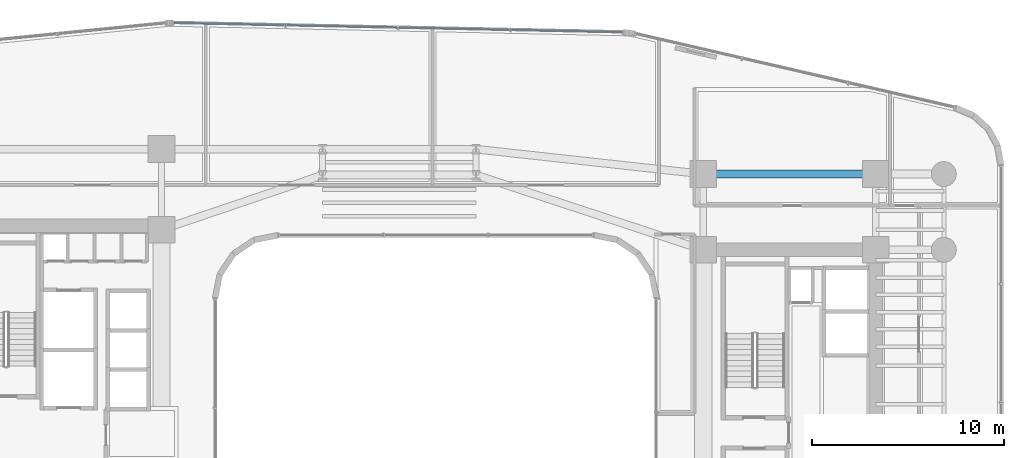
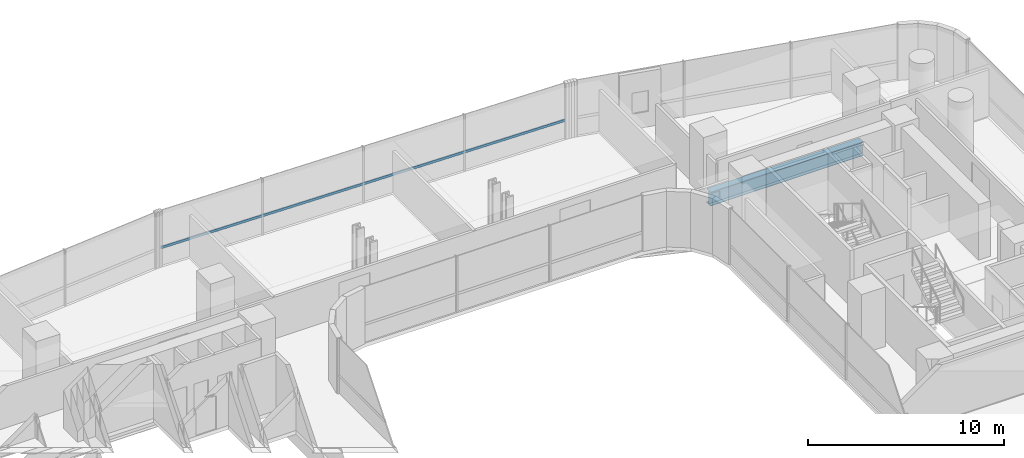
# One storey, part 24 of 40: 1 beam, 1 member, 1 element without a shape of its own.
"""IFC4 building model written with IfcOpenShell, lengths in metres."""

from ifc_helpers import new_model, si_unit, direction, frame, origin, origin_2d, place, context, subcontext, project, spatial, hollow_rectangle, i_section, extrude, source, transform, mapped, material, material_profile, profile_set, type_object, element, aggregate, save


model = new_model("IFC4")

# Units and contexts
model_context = context("Model", 3, precision=1e-05, world=origin(), true_north=direction((0.0, 1.0)))
body_context = subcontext(model_context, "Body", "Model", "MODEL_VIEW")
ifc_project = project(units=[si_unit("LENGTHUNIT", "METRE"), si_unit("AREAUNIT", "SQUARE_METRE"), si_unit("VOLUMEUNIT", "CUBIC_METRE"), si_unit("PLANEANGLEUNIT", "RADIAN"), si_unit("MASSUNIT", "GRAM", prefix="KILO")], contexts=[model_context])

# Site, building, storey
site_placement = place(None, origin())
site = spatial("IfcSite", under=ifc_project, at=site_placement, CompositionType="ELEMENT")
building_placement = place(site_placement, origin())
building = spatial("IfcBuilding", under=site, at=building_placement, Name="Valdorenza Pilgrim Sanctuary Tower", CompositionType="ELEMENT")
storey_placement = place(building_placement, frame((0.0, 0.0, 48.199951171875)))
storey = spatial("IfcBuildingStorey", under=building, at=storey_placement, Name="L11", CompositionType="ELEMENT", Elevation=48.199951171875)

# Beam
ifc_material_1 = material(Name="Steel ASTM A992 Grade 50", Category="steel")
ifc_material_profile_1 = material_profile(ifc_material_1, i_section(OverallWidth=0.39990234375, OverallDepth=0.862060546875, WebThickness=0.019775390625, FlangeThickness=0.032470703125, at=origin_2d()), Name="W33X221")
ifc_profile_set_1 = profile_set([ifc_material_profile_1], Name="Steel ASTM A992 Grade 50")
beam_type = type_object("IfcBeamType", Name="STR-BM-GRD-W33", PredefinedType="BEAM", material=ifc_profile_set_1)
shared_shape_1 = source(origin(), body_context, "Body", "SweptSolid", [
    extrude(i_section(OverallWidth=0.39990234375, OverallDepth=0.862060546875, WebThickness=0.019775390625, FlangeThickness=0.032470703125, at=origin_2d()), origin(), (0.0, 0.0, 1.0), 9.0),
])
beam_placement = place(storey_placement, frame((15.85009765625, 13.5, -0.6708984375), z_axis=(1.0, 0.0, 0.0), x_axis=(0.0, 1.0, 0.0)))
element("IfcBeam", 1, at=beam_placement, inside=storey, type_object=beam_type, Name="L11 Floor Girder CB-XC-N2", PredefinedType="BEAM", context=body_context, shape_type="MappedRepresentation", body=[
    mapped(shared_shape_1, transform((0.0, 0.0, 0.0), x_axis=(1.0, 0.0, 0.0), y_axis=(0.0, 1.0, 0.0), z_axis=(0.0, 0.0, 1.0), scale=1.0)),
])

# Curtain wall, member
ifc_material_2 = material(Name="Curtain-wall IGU glazing", Category="glass")
curtain_wall_type = type_object("IfcCurtainWallType", Name="CW-SYS-02", PredefinedType="NOTDEFINED", material=ifc_material_2)
curtain_wall_placement = place(storey_placement, origin())
curtain_wall = element("IfcCurtainWall", 2, at=curtain_wall_placement, inside=storey, type_object=curtain_wall_type, Name="L11 Curtain Wall CW-L11-1-11", PredefinedType="NOTDEFINED")
ifc_material_3 = material(Name="Anodised aluminium AW-6060", Category="aluminium")
ifc_material_profile_2 = material_profile(ifc_material_3, hollow_rectangle(XDim=0.074951171875, YDim=0.14990234375, WallThickness=0.00390625, at=origin_2d()), Name="ALU-T 150x75x4")
ifc_profile_set_2 = profile_set([ifc_material_profile_2], Name="Anodised aluminium AW-6060")
member_type = type_object("IfcMemberType", Name="CW-TRN-02", PredefinedType="USERDEFINED", material=ifc_profile_set_2)
shared_shape_2 = source(origin(), body_context, "Body", "SweptSolid", [
    extrude(hollow_rectangle(XDim=0.074951171875, YDim=0.14990234375, WallThickness=0.00390625, at=origin_2d()), origin(), (0.0, 0.0, 1.0), 23.479248046875),
])
member_placement = place(storey_placement, frame((-11.808349609375, 21.385986328125, 1.1201171875), z_axis=(0.999783083794, -0.020827514476, 0.0), x_axis=(0.020827514476, 0.999783083794, 0.0)))
member = element("IfcMember", 3, at=member_placement, type_object=member_type, Name="CW-L11-1-11 Transom 1", ObjectType="TRANSOM", PredefinedType="USERDEFINED", context=body_context, shape_type="MappedRepresentation", body=[
    mapped(shared_shape_2, transform((0.0, 0.0, 0.0), x_axis=(1.0, 0.0, 0.0), y_axis=(0.0, 1.0, 0.0), z_axis=(0.0, 0.0, 1.0), scale=1.0)),
])
aggregate(curtain_wall, [member])

save(model, "model.ifc")
